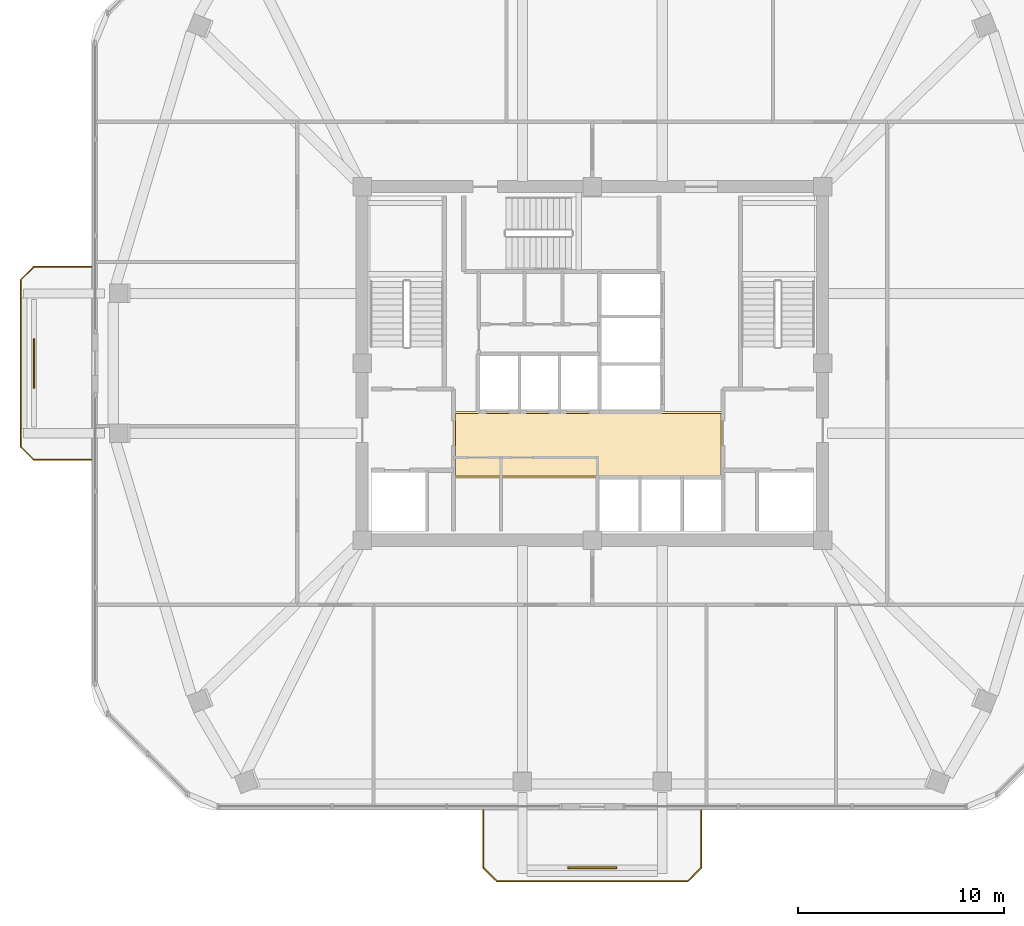
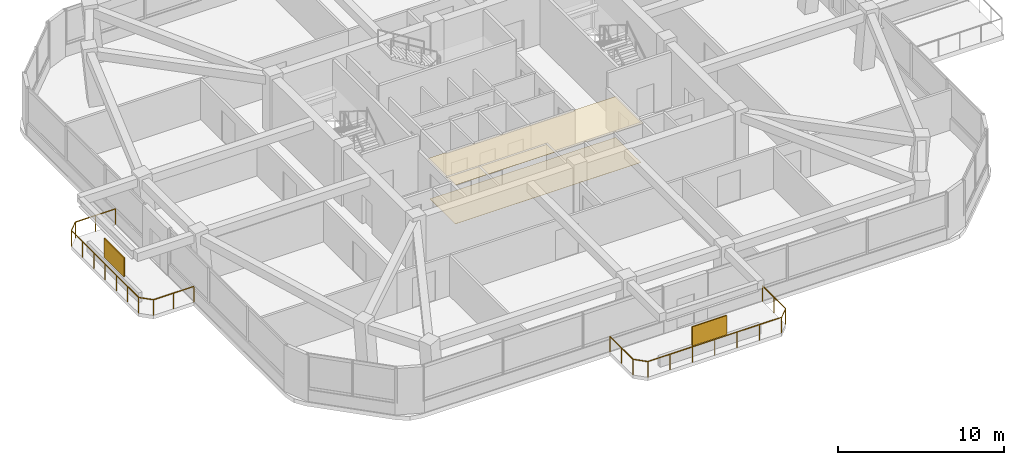
# One storey, part 11 of 13: 2 coverings, 2 railings, 2 shading devices.
"""IFC4 building model written with IfcOpenShell, lengths in metres."""

from ifc_helpers import new_model, si_unit, derived_unit, direction, frame, origin, origin_2d, place, context, subcontext, project, spatial, polyline, rectangle, outline, extrude, material, layer, layer_set, type_object, element, save


model = new_model("IFC4")

# Units and contexts
model_context = context("Model", 3, precision=1e-05, world=origin(), true_north=direction((0.0, 1.0)))
body_context = subcontext(model_context, "Body", "Model", "MODEL_VIEW")
ifc_project = project(units=[si_unit("LENGTHUNIT", "METRE"), si_unit("AREAUNIT", "SQUARE_METRE"), si_unit("VOLUMEUNIT", "CUBIC_METRE"), si_unit("PLANEANGLEUNIT", "RADIAN"), si_unit("MASSUNIT", "GRAM", prefix="KILO"), derived_unit("THERMALTRANSMITTANCEUNIT", [(si_unit("POWERUNIT", "WATT"), 1), (si_unit("LENGTHUNIT", "METRE"), -2), (si_unit("THERMODYNAMICTEMPERATUREUNIT", "KELVIN"), -1)])], contexts=[model_context])

# Site, building, storey
site_placement = place(None, origin())
site = spatial("IfcSite", under=ifc_project, at=site_placement, CompositionType="ELEMENT")
building_placement = place(site_placement, origin())
building = spatial("IfcBuilding", under=site, at=building_placement, Name="Koralith Skygarden Medical Center", CompositionType="ELEMENT")
storey_placement = place(building_placement, frame((0.0, 0.0, 188.4599609375)))
storey = spatial("IfcBuildingStorey", under=building, at=storey_placement, Name="L48", CompositionType="ELEMENT", Elevation=188.4599609375)

# Covering
ifc_material_1 = material(Name="Acoustic Mineral Tile")
ifc_layer_1 = layer(ifc_material_1, 0.02001953125)
ifc_layer_set_1 = layer_set([ifc_layer_1], Name="Acoustic Mineral Tile")
covering_type_1 = type_object("IfcCoveringType", Name="Acoustic Hygienic Mineral Ceiling 20", PredefinedType="CEILING", material=ifc_layer_set_1)
covering_1_placement = place(storey_placement, frame((0.0, 0.0, 2.925048828125)))
element("IfcCovering", 1, at=covering_1_placement, inside=storey, type_object=covering_type_1, Name="L48 Core Lobby Acoustic Ceiling", PredefinedType="CEILING", context=body_context, shape_type="SweptSolid", body=[
    extrude(outline(polyline([(30.25, 20.320068359375), (43.35009765625, 20.320068359375), (43.35009765625, 23.56005859375), (30.25, 23.56005859375), (30.25, 20.320068359375)])), origin(), (0.0, 0.0, 1.0), 0.02001953125),
])

# Railings
ifc_material_2 = material(Name="Steel ASTM A500 Grade C", Category="steel")
railing_type = type_object("IfcRailingType", Name="Outdoor Terrace & Balcony Safety Guardrail 1180", PredefinedType="GUARDRAIL", material=ifc_material_2)
railing_1_placement = place(storey_placement, frame((31.699951171875, 4.1650390625, 0.0)))
element("IfcRailing", 2, at=railing_1_placement, inside=storey, type_object=railing_type, Name="L48 S Balcony Perimeter Guardrail", PredefinedType="GUARDRAIL", context=body_context, shape_type="SweptSolid", body=[
    extrude(rectangle(XDim=0.050048828125, YDim=0.050048828125, at=origin_2d()), frame((0.0, -0.001953125, 1.15478515625), z_axis=(0.0, -1.0, 0.0), x_axis=(1.0, 0.0, 0.0)), (0.0, 0.0, 1.0), 2.796142578125),
    extrude(rectangle(XDim=0.050048828125, YDim=0.050048828125, at=origin_2d()), frame((0.00146484375, -2.801513671875, 1.15478515625), z_axis=(0.707239558722, -0.706973978714, 0.0), x_axis=(0.706973978714, 0.707239558722, 0.0)), (0.0, 0.0, 1.0), 0.915283203125),
    extrude(rectangle(XDim=0.050048828125, YDim=0.050048828125, at=origin_2d()), frame((0.652099609375, -3.449951171875, 1.15478515625), z_axis=(1.0, 0.0, 0.0), x_axis=(0.0, 1.0, 0.0)), (0.0, 0.0, 1.0), 9.2958984375),
    extrude(rectangle(XDim=0.050048828125, YDim=0.050048828125, at=origin_2d()), frame((9.951416015625, -3.448486328125, 1.15478515625), z_axis=(0.707239558722, 0.706973978714, 0.0), x_axis=(-0.706973978714, 0.707239558722, 0.0)), (0.0, 0.0, 1.0), 0.915283203125),
    extrude(rectangle(XDim=0.050048828125, YDim=0.050048828125, at=origin_2d()), frame((10.60009765625, -2.798095703125, 1.15478515625), z_axis=(0.0, 1.0, 0.0), x_axis=(-1.0, 0.0, 0.0)), (0.0, 0.0, 1.0), 2.796142578125),
    extrude(rectangle(XDim=0.0419921875, YDim=0.0419921875, at=origin_2d()), origin(), (0.0, 0.0, 1.0), 1.1279296875),
    extrude(rectangle(XDim=0.0419921875, YDim=0.0419921875, at=origin_2d()), frame((0.0, -1.39990234375, 0.0)), (0.0, 0.0, 1.0), 1.1279296875),
    extrude(rectangle(XDim=0.0419921875, YDim=0.0419921875, at=origin_2d()), frame((0.0, -2.800048828125, 0.0)), (0.0, 0.0, 1.0), 1.1279296875),
    extrude(rectangle(XDim=0.0419921875, YDim=0.0419921875, at=origin_2d()), frame((0.650146484375, -3.449951171875, 0.0)), (0.0, 0.0, 1.0), 1.1279296875),
    extrude(rectangle(XDim=0.0419921875, YDim=0.0419921875, at=origin_2d()), frame((2.2001953125, -3.449951171875, 0.0)), (0.0, 0.0, 1.0), 1.1279296875),
    extrude(rectangle(XDim=0.0419921875, YDim=0.0419921875, at=origin_2d()), frame((3.75, -3.449951171875, 0.0)), (0.0, 0.0, 1.0), 1.1279296875),
    extrude(rectangle(XDim=0.0419921875, YDim=0.0419921875, at=origin_2d()), frame((5.300048828125, -3.449951171875, 0.0)), (0.0, 0.0, 1.0), 1.1279296875),
    extrude(rectangle(XDim=0.0419921875, YDim=0.0419921875, at=origin_2d()), frame((6.85009765625, -3.449951171875, 0.0)), (0.0, 0.0, 1.0), 1.1279296875),
    extrude(rectangle(XDim=0.0419921875, YDim=0.0419921875, at=origin_2d()), frame((8.39990234375, -3.449951171875, 0.0)), (0.0, 0.0, 1.0), 1.1279296875),
    extrude(rectangle(XDim=0.0419921875, YDim=0.0419921875, at=origin_2d()), frame((9.949951171875, -3.449951171875, 0.0)), (0.0, 0.0, 1.0), 1.1279296875),
    extrude(rectangle(XDim=0.0419921875, YDim=0.0419921875, at=origin_2d()), frame((10.60009765625, -2.800048828125, 0.0)), (0.0, 0.0, 1.0), 1.1279296875),
    extrude(rectangle(XDim=0.0419921875, YDim=0.0419921875, at=origin_2d()), frame((10.60009765625, -1.39990234375, 0.0)), (0.0, 0.0, 1.0), 1.1279296875),
    extrude(rectangle(XDim=0.0419921875, YDim=0.0419921875, at=origin_2d()), frame((10.60009765625, 0.0, 0.0)), (0.0, 0.0, 1.0), 1.1279296875),
])
railing_2_placement = place(storey_placement, frame((12.639892578125, 21.199951171875, 0.0)))
element("IfcRailing", 3, at=railing_2_placement, inside=storey, type_object=railing_type, Name="L48 W Balcony Perimeter Guardrail", PredefinedType="GUARDRAIL", context=body_context, shape_type="SweptSolid", body=[
    extrude(rectangle(XDim=0.050048828125, YDim=0.050048828125, at=origin_2d()), frame((-0.001953125, 0.0, 1.15478515625), z_axis=(-1.0, 0.0, 0.0), x_axis=(0.0, -1.0, 0.0)), (0.0, 0.0, 1.0), 2.7958984375),
    extrude(rectangle(XDim=0.050048828125, YDim=0.050048828125, at=origin_2d()), frame((-2.80126953125, 0.00146484375, 1.15478515625), z_axis=(-0.707106781187, 0.707106781187, 0.0), x_axis=(-0.707106781187, -0.707106781187, 0.0)), (0.0, 0.0, 1.0), 0.91552734375),
    extrude(rectangle(XDim=0.050048828125, YDim=0.050048828125, at=origin_2d()), frame((-3.449951171875, 0.652099609375, 1.15478515625), z_axis=(0.0, 1.0, 0.0), x_axis=(-1.0, 0.0, 0.0)), (0.0, 0.0, 1.0), 8.095947265625),
    extrude(rectangle(XDim=0.050048828125, YDim=0.050048828125, at=origin_2d()), frame((-3.448486328125, 8.75146484375, 1.15478515625), z_axis=(0.707106781187, 0.707106781187, 0.0), x_axis=(-0.707106781187, 0.707106781187, 0.0)), (0.0, 0.0, 1.0), 0.91552734375),
    extrude(rectangle(XDim=0.050048828125, YDim=0.050048828125, at=origin_2d()), frame((-2.7978515625, 9.400146484375, 1.15478515625), z_axis=(1.0, 0.0, 0.0), x_axis=(0.0, 1.0, 0.0)), (0.0, 0.0, 1.0), 2.7958984375),
    extrude(rectangle(XDim=0.0419921875, YDim=0.0419921875, at=origin_2d()), origin(), (0.0, 0.0, 1.0), 1.1279296875),
    extrude(rectangle(XDim=0.0419921875, YDim=0.0419921875, at=origin_2d()), frame((-1.39990234375, 0.0, 0.0)), (0.0, 0.0, 1.0), 1.1279296875),
    extrude(rectangle(XDim=0.0419921875, YDim=0.0419921875, at=origin_2d()), frame((-2.7998046875, 0.0, 0.0)), (0.0, 0.0, 1.0), 1.1279296875),
    extrude(rectangle(XDim=0.0419921875, YDim=0.0419921875, at=origin_2d()), frame((-3.449951171875, 0.650146484375, 0.0)), (0.0, 0.0, 1.0), 1.1279296875),
    extrude(rectangle(XDim=0.0419921875, YDim=0.0419921875, at=origin_2d()), frame((-3.449951171875, 2.0, 0.0)), (0.0, 0.0, 1.0), 1.1279296875),
    extrude(rectangle(XDim=0.0419921875, YDim=0.0419921875, at=origin_2d()), frame((-3.449951171875, 3.35009765625, 0.0)), (0.0, 0.0, 1.0), 1.1279296875),
    extrude(rectangle(XDim=0.0419921875, YDim=0.0419921875, at=origin_2d()), frame((-3.449951171875, 4.7001953125, 0.0)), (0.0, 0.0, 1.0), 1.1279296875),
    extrude(rectangle(XDim=0.0419921875, YDim=0.0419921875, at=origin_2d()), frame((-3.449951171875, 6.050048828125, 0.0)), (0.0, 0.0, 1.0), 1.1279296875),
    extrude(rectangle(XDim=0.0419921875, YDim=0.0419921875, at=origin_2d()), frame((-3.449951171875, 7.39990234375, 0.0)), (0.0, 0.0, 1.0), 1.1279296875),
    extrude(rectangle(XDim=0.0419921875, YDim=0.0419921875, at=origin_2d()), frame((-3.449951171875, 8.75, 0.0)), (0.0, 0.0, 1.0), 1.1279296875),
    extrude(rectangle(XDim=0.0419921875, YDim=0.0419921875, at=origin_2d()), frame((-2.7998046875, 9.400146484375, 0.0)), (0.0, 0.0, 1.0), 1.1279296875),
    extrude(rectangle(XDim=0.0419921875, YDim=0.0419921875, at=origin_2d()), frame((-1.39990234375, 9.400146484375, 0.0)), (0.0, 0.0, 1.0), 1.1279296875),
    extrude(rectangle(XDim=0.0419921875, YDim=0.0419921875, at=origin_2d()), frame((0.0, 9.400146484375, 0.0)), (0.0, 0.0, 1.0), 1.1279296875),
])

# Shading devices
ifc_material_3 = material(Name="Aluminium 6063-T6", Category="aluminium")
ifc_layer_2 = layer(ifc_material_3, 0.080078125)
ifc_layer_set_2 = layer_set([ifc_layer_2], Name="Aluminium 6063-T6")
shading_device_type = type_object("IfcShadingDeviceType", Name="Perforated Biophilic Balcony Trellis Screen", PredefinedType="USERDEFINED", material=ifc_layer_set_2)
for number, where, z_axis, x_axis, name in (
    (4, (37.0, 1.364990234375, 0.719970703125), (0.0, 0.0, 1.0), (1.0, 0.0, 0.0), "L48 S Biophilic Balcony Trellis Screen"),
    (5, (9.840087890625, 25.89990234375, 0.719970703125), (0.0, 0.0, 1.0), (0.0, 1.0, 0.0), "L48 W Biophilic Balcony Trellis Screen"),
):
    element("IfcShadingDevice", number, at=place(storey_placement, frame(where, z_axis=z_axis, x_axis=x_axis)), inside=storey, type_object=shading_device_type, Name=name, ObjectType="HURRICANE SCREEN", PredefinedType="USERDEFINED", context=body_context, shape_type="SweptSolid", body=[
        extrude(rectangle(XDim=2.39990234375, YDim=0.080078125, at=origin_2d()), origin(), (0.0, 0.0, 1.0), 1.39990234375),
    ])

# Covering
ifc_material_4 = material(Name="Medical Terrazzo Flooring")
ifc_layer_3 = layer(ifc_material_4, 0.014892578125)
ifc_layer_set_3 = layer_set([ifc_layer_3], Name="Medical Terrazzo Flooring")
covering_type_2 = type_object("IfcCoveringType", Name="Seamless Antimicrobial Terrazzo Flooring 15", PredefinedType="FLOORING", material=ifc_layer_set_3)
covering_2_placement = place(storey_placement, origin())
element("IfcCovering", 6, at=covering_2_placement, inside=storey, type_object=covering_type_2, Name="L48 Core Lobby Terrazzo Flooring", PredefinedType="FLOORING", context=body_context, shape_type="SweptSolid", body=[
    extrude(outline(polyline([(30.35009765625, 20.419921875), (43.25, 20.419921875), (43.25, 23.4599609375), (30.35009765625, 23.4599609375), (30.35009765625, 20.419921875)])), origin(), (0.0, 0.0, 1.0), 0.01513671875),
])

save(model, "model.ifc")
